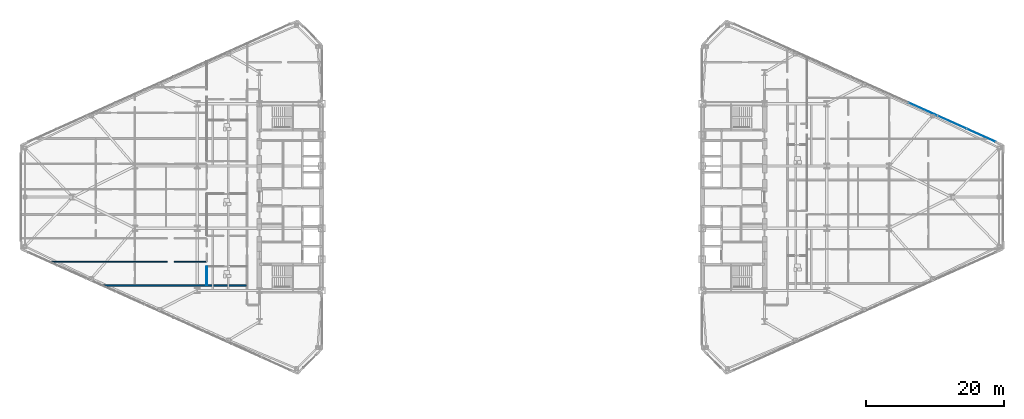
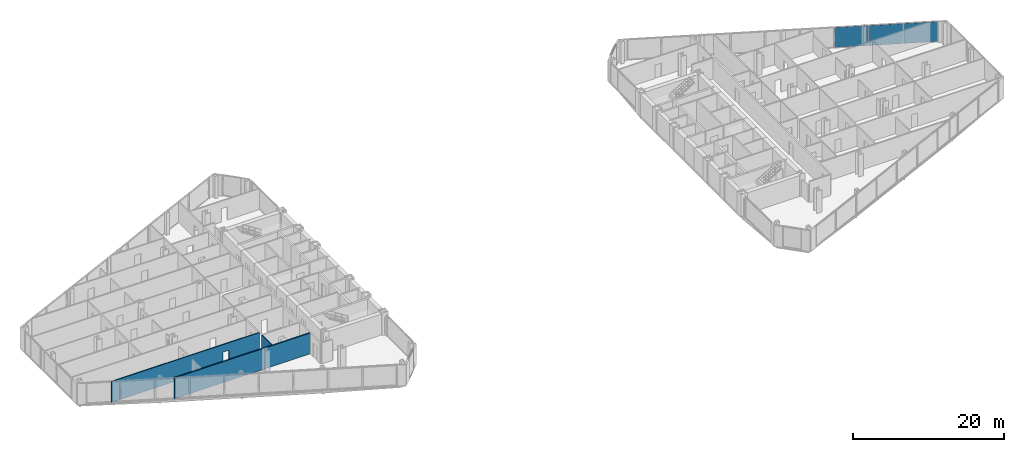
# One storey, part 18 of 27: 3 plates, 3 walls, 1 opening, 1 element without a shape of its own.
"""IFC4 building model written with IfcOpenShell, lengths in metres."""

from ifc_helpers import new_model, si_unit, direction, frame, frame_2d, origin, origin_2d, place, context, subcontext, project, spatial, rectangle, extrude, source, transform, mapped, material, layer, layer_set, type_object, type_shapes, element, aggregate, save


model = new_model("IFC4")

# Units and contexts
model_context = context("Model", 3, precision=1e-05, world=origin(), true_north=direction((0.0, 1.0)))
body_context = subcontext(model_context, "Body", "Model", "MODEL_VIEW")
ifc_project = project(units=[si_unit("LENGTHUNIT", "METRE"), si_unit("AREAUNIT", "SQUARE_METRE"), si_unit("VOLUMEUNIT", "CUBIC_METRE"), si_unit("PLANEANGLEUNIT", "RADIAN"), si_unit("MASSUNIT", "GRAM", prefix="KILO")], contexts=[model_context])

# Site, building, storey
site_placement = place(None, origin())
site = spatial("IfcSite", under=ifc_project, at=site_placement, CompositionType="ELEMENT")
building_placement = place(site_placement, origin())
building = spatial("IfcBuilding", under=site, at=building_placement, Name="Seokmaru Belvedere", CompositionType="ELEMENT")
storey_placement = place(building_placement, frame((0.0, 0.0, 96.0)))
storey = spatial("IfcBuildingStorey", under=building, at=storey_placement, Name="L25", CompositionType="ELEMENT", Elevation=96.0)

# Curtain wall, plates
ifc_material_1 = material(Name="Bronze Triple Insulating Glass", Category="glass")
ifc_layer_1 = layer(ifc_material_1, 0.195068359375)
ifc_layer_set_1 = layer_set([ifc_layer_1], Name="Bronze Triple Insulating Glass")
curtain_wall_type = type_object("IfcCurtainWallType", Name="Lower-Mid Tapered Curtain Wall System CW-3", PredefinedType="NOTDEFINED", material=ifc_layer_set_1)
curtain_wall_placement = place(storey_placement, origin())
curtain_wall = element("IfcCurtainWall", 1, at=curtain_wall_placement, inside=storey, type_object=curtain_wall_type, Name="L25 Curtain Wall EF3", PredefinedType="NOTDEFINED")
ifc_layer_2 = layer(ifc_material_1, 0.035888671875)
ifc_layer_set_2 = layer_set([ifc_layer_2], Name="Bronze Triple Insulating Glass")
plate_type = type_object("IfcPlateType", Name="Bronze Triple Vision Glazing Panel 36", PredefinedType="CURTAIN_PANEL", material=ifc_layer_set_2)
shared_shape_1 = source(origin(), body_context, "Body", "SweptSolid", [
    extrude(rectangle(XDim=4.51318359375, YDim=0.035888671875, at=origin_2d()), origin(), (0.0, 0.0, 1.0), 3.239990234375),
])
plate_1_placement = place(storey_placement, frame((67.82958984375, 8.926513671875, 0.06982421875), z_axis=(0.0, 0.0, 1.0), x_axis=(-0.91192111353, 0.41036554765, 0.0)))
plate_1 = element("IfcPlate", 2, at=plate_1_placement, type_object=plate_type, Name="CW:L25:EF3 Glazing Panel 1-1", PredefinedType="CURTAIN_PANEL", context=body_context, shape_type="MappedRepresentation", body=[
    mapped(shared_shape_1, transform((0.0, 0.0, 0.0), scale=1.0)),
])
shared_shape_2 = source(origin(), body_context, "Body", "SweptSolid", [
    extrude(rectangle(XDim=4.548095703125, YDim=0.035888671875, at=origin_2d()), origin(), (0.0, 0.0, 1.0), 3.239990234375),
])
type_shapes(plate_type, [shared_shape_1, shared_shape_2])
plate_2_placement = place(storey_placement, frame((63.63427734375, 10.814697265625, 0.06982421875), z_axis=(0.0, 0.0, 1.0), x_axis=(-0.91192111353, 0.41036554765, 0.0)))
plate_2 = element("IfcPlate", 3, at=plate_2_placement, type_object=plate_type, Name="CW:L25:EF3 Glazing Panel 2-1", PredefinedType="CURTAIN_PANEL", context=body_context, shape_type="MappedRepresentation", body=[
    mapped(shared_shape_2, transform((0.0, 0.0, 0.0), scale=1.0)),
])
plate_3_placement = place(storey_placement, frame((59.4228515625, 12.709716796875, 0.06982421875), z_axis=(0.0, 0.0, 1.0), x_axis=(-0.91192111353, 0.41036554765, 0.0)))
plate_3 = element("IfcPlate", 4, at=plate_3_placement, type_object=plate_type, Name="CW:L25:EF3 Glazing Panel 3-1", PredefinedType="CURTAIN_PANEL", context=body_context, shape_type="MappedRepresentation", body=[
    mapped(shared_shape_2, transform((0.0, 0.0, 0.0), scale=1.0)),
])
aggregate(curtain_wall, [plate_1, plate_2, plate_3])

# Wall, opening
ifc_material_2 = material(Name="Fire-Rated Gypsum Shaftwall")
ifc_layer_3 = layer(ifc_material_2, 0.14990234375)
ifc_layer_set_3 = layer_set([ifc_layer_3], Name="Fire-Rated Gypsum Shaftwall")
wall_type_1 = type_object("IfcWallType", Name="Apartment Fire-Acoustic Room Partition 150", PredefinedType="PARTITIONING", material=ifc_layer_set_3)
wall_1_placement = place(storey_placement, frame((-66.886962890625, -9.3701171875, 0.0), z_axis=(0.0, 0.0, 1.0), x_axis=(1.0, 0.0, 0.0)))
wall_1 = element("IfcWall", 5, at=wall_1_placement, inside=storey, type_object=wall_type_1, Name="L25 Interior Partition 006", PredefinedType="PARTITIONING", context=body_context, shape_type="SweptSolid", body=[
    extrude(rectangle(XDim=22.68701171875, YDim=0.14990234375, at=frame_2d((11.343505859375, 0.0))), origin(), (0.0, 0.0, 1.0), 3.3798828125),
])
opening_placement = place(wall_1_placement, frame((17.0869140625, 0.0, 0.0)))
element("IfcOpeningElement", 6, at=opening_placement, cuts=wall_1, Name="L25 Cased Opening 007", PredefinedType="OPENING", context=body_context, shape_type="SweptSolid", body=[
    extrude(rectangle(XDim=0.949951171875, YDim=2.14990234375, at=frame_2d((0.47509765625, 1.074951171875))), frame((0.0, 0.0849609375, 0.0), z_axis=(0.0, -1.0, 0.0), x_axis=(1.0, 0.0, 0.0)), (0.0, 0.0, 1.0), 0.169921875),
])

# Walls
ifc_layer_4 = layer(ifc_material_2, 0.199951171875)
ifc_layer_set_4 = layer_set([ifc_layer_4], Name="Fire-Rated Gypsum Shaftwall")
wall_type_2 = type_object("IfcWallType", Name="Inter-Tenancy Fire Compartment Partition 200", PredefinedType="PARTITIONING", material=ifc_layer_set_4)
wall_2_placement = place(storey_placement, frame((-59.23388671875, -12.800048828125, 0.0), z_axis=(0.0, 0.0, 1.0), x_axis=(1.0, 0.0, 0.0)))
element("IfcWall", 7, at=wall_2_placement, inside=storey, type_object=wall_type_2, Name="L25 Interior Partition 003", PredefinedType="PARTITIONING", context=body_context, shape_type="SweptSolid", body=[
    extrude(rectangle(XDim=20.85400390625, YDim=0.199951171875, at=frame_2d((10.427001953125, 0.0))), origin(), (0.0, 0.0, 1.0), 3.3798828125),
])
ifc_layer_5 = layer(ifc_material_2, 0.1298828125)
ifc_layer_set_5 = layer_set([ifc_layer_5], Name="Fire-Rated Gypsum Shaftwall")
wall_type_3 = type_object("IfcWallType", Name="Moisture-Resistant Fire-Rated Bathroom Partition 130", PredefinedType="PARTITIONING", material=ifc_layer_set_5)
wall_3_placement = place(storey_placement, frame((-44.14990234375, -12.75, 0.0), z_axis=(0.0, 0.0, 1.0), x_axis=(0.0, 1.0, 0.0)))
element("IfcWall", 8, at=wall_3_placement, inside=storey, type_object=wall_type_3, Name="L25 Interior Partition 034", PredefinedType="PARTITIONING", context=body_context, shape_type="SweptSolid", body=[
    extrude(rectangle(XDim=2.678955078125, YDim=0.1298828125, at=frame_2d((1.33935546875, 0.0))), origin(), (0.0, 0.0, 1.0), 3.3798828125),
])

save(model, "model.ifc")
